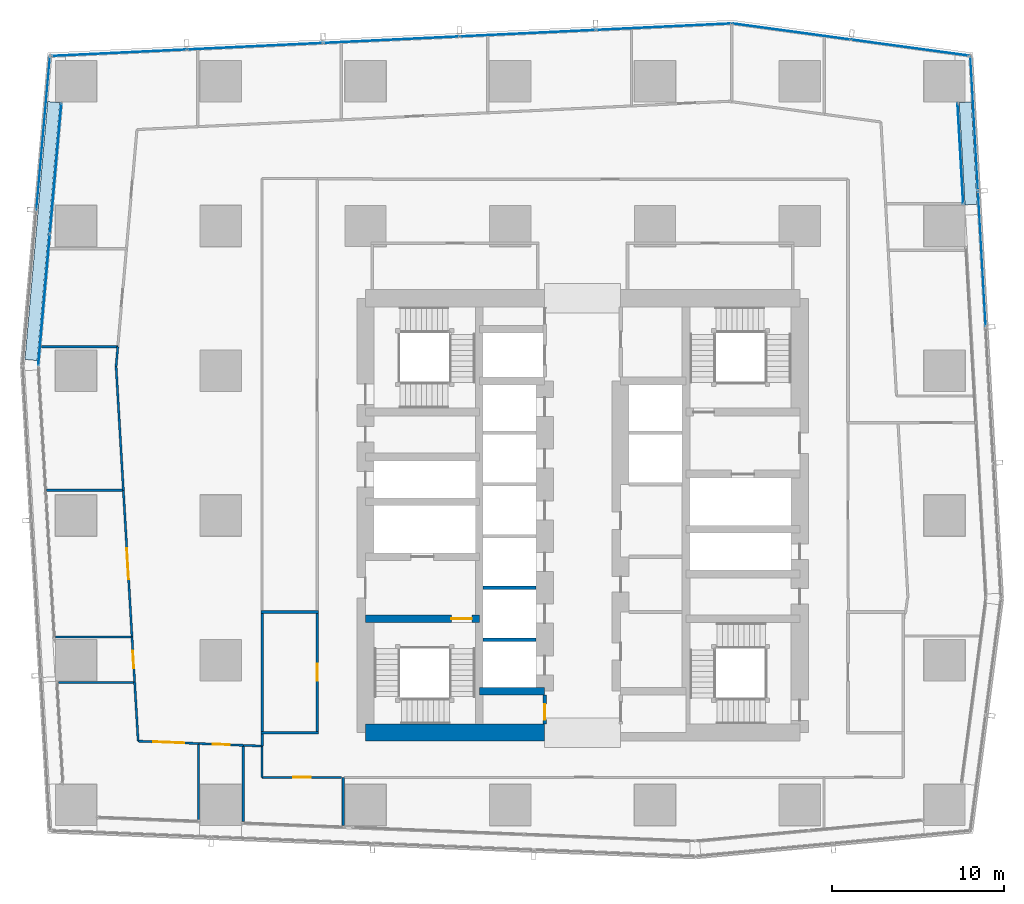
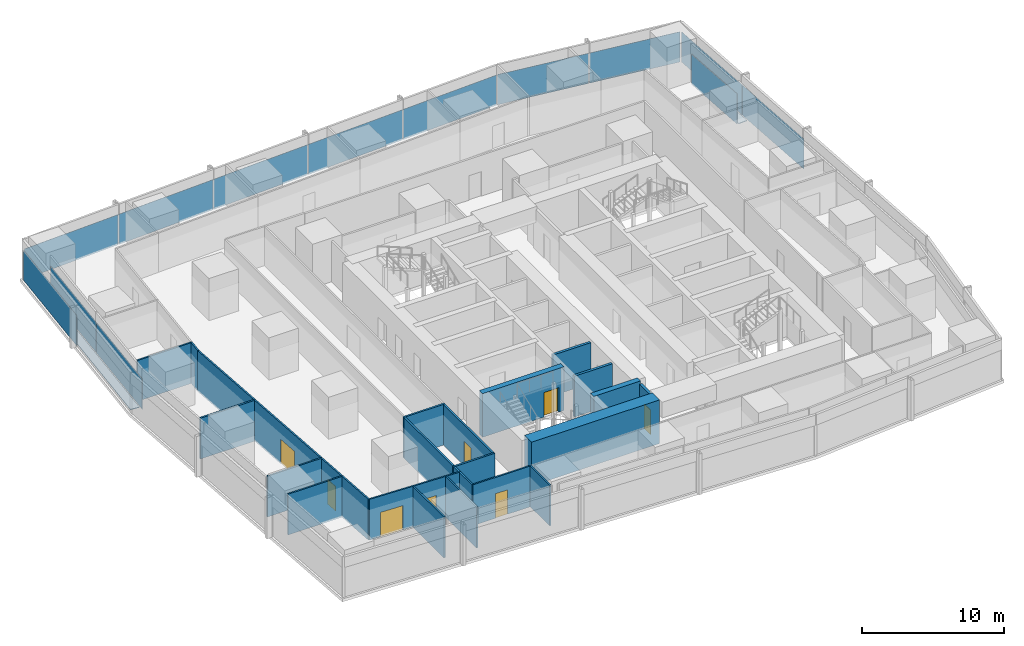
# One storey, part 24 of 37: 28 walls, 15 plates, 8 doors, 8 openings, 6 elements without a shape of their own.
"""IFC4 building model written with IfcOpenShell, lengths in metres."""

from ifc_helpers import new_model, si_unit, direction, frame, frame_2d, origin, origin_2d, place, context, subcontext, project, spatial, rectangle, extrude, material, layer, layer_set, type_object, element, fill, aggregate, save


model = new_model("IFC4")

# Units and contexts
model_context = context("Model", 3, precision=1e-05, world=origin(), true_north=direction((0.0, 1.0)))
body_context = subcontext(model_context, "Body", "Model", "MODEL_VIEW")
ifc_project = project(units=[si_unit("LENGTHUNIT", "METRE"), si_unit("AREAUNIT", "SQUARE_METRE"), si_unit("VOLUMEUNIT", "CUBIC_METRE"), si_unit("PLANEANGLEUNIT", "RADIAN"), si_unit("MASSUNIT", "GRAM", prefix="KILO")], contexts=[model_context])

# Site, building, storey
site_placement = place(None, origin())
site = spatial("IfcSite", under=ifc_project, at=site_placement, CompositionType="ELEMENT")
building_placement = place(site_placement, origin())
building = spatial("IfcBuilding", under=site, at=building_placement, Name="Rekha Terrace Tower", CompositionType="ELEMENT")
storey_placement = place(building_placement, frame((0.0, 0.0, 228.949951171875)))
storey = spatial("IfcBuildingStorey", under=building, at=storey_placement, Name="L58", CompositionType="ELEMENT", Elevation=228.949951171875)

# Curtain wall, plate
ifc_material_1 = material(Name="Aluminium framing", Category="aluminium")
curtain_wall_type_1 = type_object("IfcCurtainWallType", Name="CW1 double skin inner glazing", PredefinedType="USERDEFINED", material=ifc_material_1)
curtain_wall_1_placement = place(storey_placement, origin())
curtain_wall_1 = element("IfcCurtainWall", 1, at=curtain_wall_1_placement, inside=storey, type_object=curtain_wall_type_1, Name="CW1 double skin inner glazing", ObjectType="DOUBLE SKIN INNER GLAZING", PredefinedType="USERDEFINED")
ifc_material_2 = material(Name="Double-glazed low-e unit 32", Category="glass")
ifc_layer_1 = layer(ifc_material_2, 0.031982421875)
ifc_layer_set_1 = layer_set([ifc_layer_1], Name="Double-glazed low-e unit 32")
plate_type_1 = type_object("IfcPlateType", Name="CW1 jumbo vision panel, double-glazed low-e unit 32", PredefinedType="CURTAIN_PANEL", material=ifc_layer_set_1)
plate_1_placement = place(storey_placement, frame((59.720458984375, 54.60009765625, 0.0), z_axis=(0.0, 0.0, 1.0), x_axis=(-0.056673194877, 0.998392782918, 0.0)))
plate_1 = element("IfcPlate", 2, at=plate_1_placement, type_object=plate_type_1, Name="CW1 panel 1.1", PredefinedType="CURTAIN_PANEL", context=body_context, shape_type="SweptSolid", body=[
    extrude(rectangle(XDim=5.828857421875, YDim=0.031982421875, at=origin_2d()), origin(), (0.0, 0.0, 1.0), 2.60009765625),
])
aggregate(curtain_wall_1, [plate_1])

# Curtain wall, plates
curtain_wall_2_placement = place(storey_placement, origin())
curtain_wall_2 = element("IfcCurtainWall", 3, at=curtain_wall_2_placement, inside=storey, type_object=curtain_wall_type_1, Name="CW1 double skin inner glazing", ObjectType="DOUBLE SKIN INNER GLAZING", PredefinedType="USERDEFINED")
plate_2_placement = place(storey_placement, frame((7.2216796875, 53.7412109375, 0.0), z_axis=(0.0, 0.0, 1.0), x_axis=(-0.087957985471, -0.996124185427, 0.0)))
plate_2 = element("IfcPlate", 4, at=plate_2_placement, type_object=plate_type_1, Name="CW1 panel 1.1", PredefinedType="CURTAIN_PANEL", context=body_context, shape_type="SweptSolid", body=[
    extrude(rectangle(XDim=7.560791015625, YDim=0.031982421875, at=origin_2d()), origin(), (0.0, 0.0, 1.0), 2.60009765625),
])
plate_3_placement = place(storey_placement, frame((6.548095703125, 46.112548828125, 0.0), z_axis=(0.0, 0.0, 1.0), x_axis=(-0.087957985471, -0.996124185427, 0.0)))
plate_3 = element("IfcPlate", 5, at=plate_3_placement, type_object=plate_type_1, Name="CW1 panel 2.1", PredefinedType="CURTAIN_PANEL", context=body_context, shape_type="SweptSolid", body=[
    extrude(rectangle(XDim=7.625732421875, YDim=0.031982421875, at=origin_2d()), origin(), (0.0, 0.0, 1.0), 2.60009765625),
])
aggregate(curtain_wall_2, [plate_2, plate_3])

curtain_wall_type_2 = type_object("IfcCurtainWallType", Name="CW2 double skin outer glazing", PredefinedType="USERDEFINED", material=ifc_material_1)
curtain_wall_3_placement = place(storey_placement, origin())
curtain_wall_3 = element("IfcCurtainWall", 6, at=curtain_wall_3_placement, inside=storey, type_object=curtain_wall_type_2, Name="CW2 double skin outer glazing", ObjectType="DOUBLE SKIN OUTER GLAZING", PredefinedType="USERDEFINED")
ifc_material_3 = material(Name="Toughened single glazing 12", Category="glass")
ifc_layer_2 = layer(ifc_material_3, 0.011962890625)
ifc_layer_set_2 = layer_set([ifc_layer_2], Name="Toughened single glazing 12")
plate_type_2 = type_object("IfcPlateType", Name="CW2 jumbo vision panel, toughened single glazing 12", PredefinedType="CURTAIN_PANEL", material=ifc_layer_set_2)
plate_4_placement = place(storey_placement, frame((60.9697265625, 48.47314453125, 0.0), z_axis=(0.0, 0.0, 1.0), x_axis=(-0.05667319486, 0.998392782919, 0.0)))
plate_4 = element("IfcPlate", 7, at=plate_4_placement, type_object=plate_type_2, Name="CW2 panel 3.1", PredefinedType="CURTAIN_PANEL", context=body_context, shape_type="SweptSolid", body=[
    extrude(rectangle(XDim=7.823486328125, YDim=0.011962890625, at=origin_2d()), origin(), (0.0, 0.0, 1.0), 2.60009765625),
])
plate_5_placement = place(storey_placement, frame((60.522705078125, 56.343994140625, 0.0), z_axis=(0.0, 0.0, 1.0), x_axis=(-0.05667319486, 0.998392782919, 0.0)))
plate_5 = element("IfcPlate", 8, at=plate_5_placement, type_object=plate_type_2, Name="CW2 panel 4.1", PredefinedType="CURTAIN_PANEL", context=body_context, shape_type="SweptSolid", body=[
    extrude(rectangle(XDim=7.783447265625, YDim=0.011962890625, at=origin_2d()), origin(), (0.0, 0.0, 1.0), 2.60009765625),
])
aggregate(curtain_wall_3, [plate_4, plate_5])

# Curtain wall, plate
curtain_wall_4_placement = place(storey_placement, origin())
curtain_wall_4 = element("IfcCurtainWall", 9, at=curtain_wall_4_placement, inside=storey, type_object=curtain_wall_type_2, Name="CW2 double skin outer glazing", ObjectType="DOUBLE SKIN OUTER GLAZING", PredefinedType="USERDEFINED")
plate_6_placement = place(storey_placement, frame((6.498779296875, 55.78466796875, 0.0), z_axis=(0.0, 0.0, 1.0), x_axis=(-0.087957985453, -0.996124185428, 0.0)))
plate_6 = element("IfcPlate", 10, at=plate_6_placement, type_object=plate_type_2, Name="CW2 panel 1.1", PredefinedType="CURTAIN_PANEL", context=body_context, shape_type="SweptSolid", body=[
    extrude(rectangle(XDim=8.899658203125, YDim=0.011962890625, at=origin_2d()), origin(), (0.0, 0.0, 1.0), 2.60009765625),
])
aggregate(curtain_wall_4, [plate_6])

# Curtain wall, plates
curtain_wall_type_3 = type_object("IfcCurtainWallType", Name="CW3 north unitised glazing", PredefinedType="USERDEFINED", material=ifc_material_1)
curtain_wall_5_placement = place(storey_placement, origin())
curtain_wall_5 = element("IfcCurtainWall", 11, at=curtain_wall_5_placement, inside=storey, type_object=curtain_wall_type_3, Name="CW3 unitised curtain wall", ObjectType="UNITISED CURTAIN WALL", PredefinedType="USERDEFINED")
ifc_material_4 = material(Name="Double-glazed unit 28", Category="glass")
ifc_layer_3 = layer(ifc_material_4, 0.028076171875)
ifc_layer_set_3 = layer_set([ifc_layer_3], Name="Double-glazed unit 28")
plate_type_3 = type_object("IfcPlateType", Name="CW3 jumbo vision panel, double-glazed unit 28", PredefinedType="CURTAIN_PANEL", material=ifc_layer_set_3)
plate_7_placement = place(storey_placement, frame((56.797119140625, 60.745361328125, 0.0), z_axis=(0.0, 0.0, 1.0), x_axis=(-0.990867270504, 0.134840840416, 0.0)))
plate_7 = element("IfcPlate", 12, at=plate_7_placement, type_object=plate_type_3, Name="CW3 panel 1.1", PredefinedType="CURTAIN_PANEL", context=body_context, shape_type="SweptSolid", body=[
    extrude(rectangle(XDim=6.8486328125, YDim=0.028076171875, at=origin_2d()), origin(), (0.0, 0.0, 1.0), 2.60009765625),
])
plate_8_placement = place(storey_placement, frame((49.906982421875, 61.682861328125, 0.0), z_axis=(0.0, 0.0, 1.0), x_axis=(-0.990867270504, 0.134840840416, 0.0)))
plate_8 = element("IfcPlate", 13, at=plate_8_placement, type_object=plate_type_3, Name="CW3 panel 2.1", PredefinedType="CURTAIN_PANEL", context=body_context, shape_type="SweptSolid", body=[
    extrude(rectangle(XDim=6.918701171875, YDim=0.028076171875, at=origin_2d()), origin(), (0.0, 0.0, 1.0), 2.60009765625),
])
aggregate(curtain_wall_5, [plate_7, plate_8])

curtain_wall_6_placement = place(storey_placement, origin())
curtain_wall_6 = element("IfcCurtainWall", 14, at=curtain_wall_6_placement, inside=storey, type_object=curtain_wall_type_3, Name="CW3 unitised curtain wall", ObjectType="UNITISED CURTAIN WALL", PredefinedType="USERDEFINED")
plate_9_placement = place(storey_placement, frame((42.50732421875, 61.95947265625, 0.0), z_axis=(0.0, 0.0, 1.0), x_axis=(-0.998858906204, -0.047758616983, 0.0)))
plate_9 = element("IfcPlate", 15, at=plate_9_placement, type_object=plate_type_3, Name="CW3 panel 1.1", PredefinedType="CURTAIN_PANEL", context=body_context, shape_type="SweptSolid", body=[
    extrude(rectangle(XDim=7.81298828125, YDim=0.028076171875, at=origin_2d()), origin(), (0.0, 0.0, 1.0), 2.60009765625),
])
plate_10_placement = place(storey_placement, frame((34.61572265625, 61.58203125, 0.0), z_axis=(0.0, 0.0, 1.0), x_axis=(-0.998858906204, -0.047758616983, 0.0)))
plate_10 = element("IfcPlate", 16, at=plate_10_placement, type_object=plate_type_3, Name="CW3 panel 2.1", PredefinedType="CURTAIN_PANEL", context=body_context, shape_type="SweptSolid", body=[
    extrude(rectangle(XDim=7.84814453125, YDim=0.028076171875, at=origin_2d()), origin(), (0.0, 0.0, 1.0), 2.60009765625),
])
plate_11_placement = place(storey_placement, frame((26.70654296875, 61.203857421875, 0.0), z_axis=(0.0, 0.0, 1.0), x_axis=(-0.998858906204, -0.047758616983, 0.0)))
plate_11 = element("IfcPlate", 17, at=plate_11_placement, type_object=plate_type_3, Name="CW3 panel 3.1", PredefinedType="CURTAIN_PANEL", context=body_context, shape_type="SweptSolid", body=[
    extrude(rectangle(XDim=7.84814453125, YDim=0.028076171875, at=origin_2d()), origin(), (0.0, 0.0, 1.0), 2.60009765625),
])
plate_12_placement = place(storey_placement, frame((18.79736328125, 60.82568359375, 0.0), z_axis=(0.0, 0.0, 1.0), x_axis=(-0.998858906204, -0.047758616983, 0.0)))
plate_12 = element("IfcPlate", 18, at=plate_12_placement, type_object=plate_type_3, Name="CW3 panel 4.1", PredefinedType="CURTAIN_PANEL", context=body_context, shape_type="SweptSolid", body=[
    extrude(rectangle(XDim=7.84814453125, YDim=0.028076171875, at=origin_2d()), origin(), (0.0, 0.0, 1.0), 2.60009765625),
])
plate_13_placement = place(storey_placement, frame((10.906005859375, 60.448486328125, 0.0), z_axis=(0.0, 0.0, 1.0), x_axis=(-0.998858906204, -0.047758616983, 0.0)))
plate_13 = element("IfcPlate", 19, at=plate_13_placement, type_object=plate_type_3, Name="CW3 panel 5.1", PredefinedType="CURTAIN_PANEL", context=body_context, shape_type="SweptSolid", body=[
    extrude(rectangle(XDim=7.81298828125, YDim=0.028076171875, at=origin_2d()), origin(), (0.0, 0.0, 1.0), 2.60009765625),
])
aggregate(curtain_wall_6, [plate_9, plate_10, plate_11, plate_12, plate_13])

# Plates
ifc_material_5 = material(Name="Galvanised steel open grating", Category="steel")
ifc_layer_4 = layer(ifc_material_5, 0.050048828125)
ifc_layer_set_4 = layer_set([ifc_layer_4], Name="Galvanised steel open grating")
plate_type_4 = type_object("IfcPlateType", Name="GT1 cavity walkway grating 50", PredefinedType="USERDEFINED", material=ifc_layer_set_4)
plate_14_placement = place(storey_placement, frame((60.17041015625, 54.610595703125, 0.0), z_axis=(0.0, 0.0, 1.0), x_axis=(-0.05667319486, 0.998392782919, 0.0)))
element("IfcPlate", 20, at=plate_14_placement, inside=storey, type_object=plate_type_4, Name="Cavity walkway grating", ObjectType="CAVITY WALKWAY GRATING", PredefinedType="USERDEFINED", context=body_context, shape_type="SweptSolid", body=[
    extrude(rectangle(XDim=5.948486328125, YDim=0.705078125, at=origin_2d()), origin(), (0.0, 0.0, 1.0), 0.050048828125),
])
plate_15_placement = place(storey_placement, frame((6.44873046875, 50.10400390625, 0.0), z_axis=(0.0, 0.0, 1.0), x_axis=(-0.087957985471, -0.996124185427, 0.0)))
element("IfcPlate", 21, at=plate_15_placement, inside=storey, type_object=plate_type_4, Name="Cavity walkway grating", ObjectType="CAVITY WALKWAY GRATING", PredefinedType="USERDEFINED", context=body_context, shape_type="SweptSolid", body=[
    extrude(rectangle(XDim=15.0263671875, YDim=0.705078125, at=origin_2d()), origin(), (0.0, 0.0, 1.0), 0.050048828125),
])

# Wall
ifc_material_6 = material(Name="Concrete M60", Category="concrete")
ifc_layer_5 = layer(ifc_material_6, 0.449951171875)
ifc_layer_set_5 = layer_set([ifc_layer_5], Name="Concrete M60")
wall_type_1 = type_object("IfcWallType", Name="CI3 450 core internal shear wall", PredefinedType="SHEAR", material=ifc_layer_set_5)
wall_1_placement = place(storey_placement, frame((31.800048828125, 23.39990234375, 0.0), z_axis=(0.0, 0.0, 1.0), x_axis=(1.0, 0.0, 0.0)))
element("IfcWall", 22, at=wall_1_placement, inside=storey, type_object=wall_type_1, Name="Core wall Y234W L58", PredefinedType="SHEAR", context=body_context, shape_type="SweptSolid", body=[
    extrude(rectangle(XDim=3.800048828125, YDim=0.449951171875, at=frame_2d((1.89990234375, 0.0))), origin(), (0.0, 0.0, 1.0), 3.75),
])

# Wall, opening, door
wall_2_placement = place(storey_placement, frame((25.199951171875, 27.60009765625, 0.0), z_axis=(0.0, 0.0, 1.0), x_axis=(1.0, 0.0, 0.0)))
wall_2 = element("IfcWall", 23, at=wall_2_placement, inside=storey, type_object=wall_type_1, Name="Core wall Y276W L58", PredefinedType="SHEAR", context=body_context, shape_type="SweptSolid", body=[
    extrude(rectangle(XDim=6.60009765625, YDim=0.449951171875, at=frame_2d((3.300048828125, 0.0))), origin(), (0.0, 0.0, 1.0), 3.75),
])
opening_1_placement = place(wall_2_placement, frame((4.97509765625, 0.0, 0.0)))
opening_1 = element("IfcOpeningElement", 24, at=opening_1_placement, cuts=wall_2, Name="Opening D1", PredefinedType="OPENING", context=body_context, shape_type="SweptSolid", body=[
    extrude(rectangle(XDim=1.199951171875, YDim=2.10009765625, at=frame_2d((0.60009765625, 1.050048828125))), frame((0.0, 0.23486328125, 0.0), z_axis=(0.0, -1.0, 0.0), x_axis=(1.0, 0.0, 0.0)), (0.0, 0.0, 1.0), 0.469970703125),
])
ifc_material_7 = material(Name="Steel fire door", Category="steel")
door_type_1 = type_object("IfcDoorType", Name="D1 1200x2100 stair fire door", OperationType="SINGLE_SWING_RIGHT", PredefinedType="DOOR", material=ifc_material_7)
door_1_placement = place(opening_1_placement, origin())
door_1 = element("IfcDoor", 25, at=door_1_placement, inside=storey, type_object=door_type_1, Name="Stair ST1 door L58", OperationType="SINGLE_SWING_RIGHT", OverallHeight=2.10009765625, OverallWidth=1.199951171875, PredefinedType="DOOR", context=body_context, shape_type="SweptSolid", body=[
    extrude(rectangle(XDim=1.199951171875, YDim=2.10009765625, at=frame_2d((0.60009765625, 1.050048828125))), frame((0.0, 0.02490234375, 0.0), z_axis=(0.0, -1.0, 0.0), x_axis=(1.0, 0.0, 0.0)), (0.0, 0.0, 1.0), 0.050048828125),
])
fill(opening_1, door_1)

# Walls
ifc_layer_6 = layer(ifc_material_6, 1.0)
ifc_layer_set_6 = layer_set([ifc_layer_6], Name="Concrete M60")
wall_type_2 = type_object("IfcWallType", Name="SW3 1000 core outer shear wall", PredefinedType="SHEAR", material=ifc_layer_set_6)
wall_3_placement = place(storey_placement, frame((25.199951171875, 21.0, 0.0), z_axis=(0.0, 0.0, 1.0), x_axis=(1.0, 0.0, 0.0)))
element("IfcWall", 26, at=wall_3_placement, inside=storey, type_object=wall_type_2, Name="Core wall S1 L58", PredefinedType="SHEAR", context=body_context, shape_type="SweptSolid", body=[
    extrude(rectangle(XDim=10.400146484375, YDim=1.0, at=frame_2d((5.2001953125, 0.0))), origin(), (0.0, 0.0, 1.0), 3.75),
])
ifc_material_8 = material(Name="Concrete block masonry, 1 hour", Category="masonry")
ifc_layer_7 = layer(ifc_material_8, 0.14990234375)
ifc_layer_set_7 = layer_set([ifc_layer_7], Name="Concrete block masonry, 1 hour")
wall_type_3 = type_object("IfcWallType", Name="WP2 150 tenancy partition", PredefinedType="PARTITIONING", material=ifc_layer_set_7)
for number, where, z_axis, x_axis, name in (
    (27, (19.125, 21.0, 0.0), (0.0, 0.0, 1.0), (1.0, 0.0, 0.0), "Men's WC wall L58"),
    (28, (19.125, 28.0, 0.0), (0.0, 0.0, 1.0), (1.0, 0.0, 0.0), "Men's WC wall L58"),
):
    element("IfcWall", number, at=place(storey_placement, frame(where, z_axis=z_axis, x_axis=x_axis)), inside=storey, type_object=wall_type_3, Name=name, PredefinedType="PARTITIONING", context=body_context, shape_type="SweptSolid", body=[
        extrude(rectangle(XDim=3.35009765625, YDim=0.14990234375, at=frame_2d((1.675048828125, 0.0))), origin(), (0.0, 0.0, 1.0), 3.5),
    ])
wall_4_placement = place(storey_placement, frame((19.199951171875, 21.074951171875, 0.0), z_axis=(0.0, 0.0, 1.0), x_axis=(0.0, 1.0, 0.0)))
element("IfcWall", 29, at=wall_4_placement, inside=storey, type_object=wall_type_3, Name="Men's WC wall L58", PredefinedType="PARTITIONING", context=body_context, shape_type="SweptSolid", body=[
    extrude(rectangle(XDim=6.85009765625, YDim=0.14990234375, at=frame_2d((3.425048828125, 0.0))), origin(), (0.0, 0.0, 1.0), 3.5),
])

# Wall, opening, door
wall_5_placement = place(storey_placement, frame((22.39990234375, 21.074951171875, 0.0), z_axis=(0.0, 0.0, 1.0), x_axis=(0.0, 1.0, 0.0)))
wall_5 = element("IfcWall", 30, at=wall_5_placement, inside=storey, type_object=wall_type_3, Name="Men's WC wall L58", PredefinedType="PARTITIONING", context=body_context, shape_type="SweptSolid", body=[
    extrude(rectangle(XDim=6.85009765625, YDim=0.14990234375, at=frame_2d((3.425048828125, 0.0))), origin(), (0.0, 0.0, 1.0), 3.5),
])
opening_2_placement = place(wall_5_placement, frame((2.925048828125, 0.0, 0.0)))
opening_2 = element("IfcOpeningElement", 31, at=opening_2_placement, cuts=wall_5, Name="Opening D3", PredefinedType="OPENING", context=body_context, shape_type="SweptSolid", body=[
    extrude(rectangle(XDim=1.0, YDim=2.10009765625, at=frame_2d((0.5, 1.050048828125))), frame((0.0, 0.0849609375, 0.0), z_axis=(0.0, -1.0, 0.0), x_axis=(1.0, 0.0, 0.0)), (0.0, 0.0, 1.0), 0.169921875),
])
ifc_material_9 = material(Name="Laminated timber fire door", Category="wood")
door_type_2 = type_object("IfcDoorType", Name="D3 1000x2100 WC door", OperationType="SINGLE_SWING_LEFT", PredefinedType="DOOR", material=ifc_material_9)
door_2_placement = place(opening_2_placement, origin())
door_2 = element("IfcDoor", 32, at=door_2_placement, inside=storey, type_object=door_type_2, Name="Door men's wc L58", OperationType="SINGLE_SWING_LEFT", OverallHeight=2.10009765625, OverallWidth=1.0, PredefinedType="DOOR", context=body_context, shape_type="SweptSolid", body=[
    extrude(rectangle(XDim=1.0, YDim=2.10009765625, at=frame_2d((0.5, 1.050048828125))), frame((0.0, 0.02490234375, 0.0), z_axis=(0.0, -1.0, 0.0), x_axis=(1.0, 0.0, 0.0)), (0.0, 0.0, 1.0), 0.050048828125),
])
fill(opening_2, door_2)

# Walls
wall_6_placement = place(storey_placement, frame((11.0849609375, 35.05908203125, 0.0), z_axis=(0.0, 0.0, 1.0), x_axis=(-1.0, 0.0, 0.0)))
element("IfcWall", 33, at=wall_6_placement, inside=storey, type_object=wall_type_3, Name="Partition L58-O1", PredefinedType="PARTITIONING", context=body_context, shape_type="SweptSolid", body=[
    extrude(rectangle(XDim=4.39501953125, YDim=0.14990234375, at=frame_2d((2.197509765625, 0.0))), origin(), (0.0, 0.0, 1.0), 3.5),
])
wall_7_placement = place(storey_placement, frame((19.199951171875, 20.925048828125, 0.0), z_axis=(0.0, 0.0, 1.0), x_axis=(0.0, -1.0, 0.0)))
element("IfcWall", 34, at=wall_7_placement, inside=storey, type_object=wall_type_3, Name="Partition L58-O1", PredefinedType="PARTITIONING", context=body_context, shape_type="SweptSolid", body=[
    extrude(rectangle(XDim=0.70703125, YDim=0.14990234375, at=frame_2d((0.353515625, 0.0))), origin(), (0.0, 0.0, 1.0), 3.5),
])
ifc_material_10 = material(Name="Two layers of fire-rated gypsum board each side on steel studs, acoustic quilt, 1 hour", Category="steel")
ifc_layer_8 = layer(ifc_material_10, 0.125)
ifc_layer_set_8 = layer_set([ifc_layer_8], Name="Two layers of fire-rated gypsum board each side on steel studs, acoustic quilt, 1 hour")
wall_type_4 = type_object("IfcWallType", Name="WP3 125 office partition", PredefinedType="PARTITIONING", material=ifc_layer_set_8)
wall_8_placement = place(storey_placement, frame((23.906982421875, 15.60595703125, 0.0), z_axis=(0.0, 0.0, 1.0), x_axis=(0.0, 1.0, 0.0)))
element("IfcWall", 35, at=wall_8_placement, inside=storey, type_object=wall_type_4, Name="Partition L58-02", PredefinedType="PARTITIONING", context=body_context, shape_type="SweptSolid", body=[
    extrude(rectangle(XDim=2.7939453125, YDim=0.125, at=frame_2d((1.39697265625, 0.0))), origin(), (0.0, 0.0, 1.0), 3.5),
])
wall_9_placement = place(storey_placement, frame((10.825927734375, 43.39208984375, 0.0), z_axis=(0.0, 0.0, 1.0), x_axis=(-1.0, 0.0, 0.0)))
element("IfcWall", 36, at=wall_9_placement, inside=storey, type_object=wall_type_4, Name="Partition L58-09", PredefinedType="PARTITIONING", context=body_context, shape_type="SweptSolid", body=[
    extrude(rectangle(XDim=4.43798828125, YDim=0.125, at=frame_2d((2.218994140625, 0.0))), origin(), (0.0, 0.0, 1.0), 3.5),
])
wall_10_placement = place(storey_placement, frame((10.825927734375, 43.39111328125, 0.0), z_axis=(0.0, 0.0, 1.0), x_axis=(-0.087943526258, -0.996125462073, 0.0)))
element("IfcWall", 37, at=wall_10_placement, inside=storey, type_object=wall_type_4, Name="Partition L58-10", PredefinedType="PARTITIONING", context=body_context, shape_type="SweptSolid", body=[
    extrude(rectangle(XDim=1.146484375, YDim=0.125, at=frame_2d((0.5732421875, 0.0))), origin(), (0.0, 0.0, 1.0), 3.5),
])
wall_11_placement = place(storey_placement, frame((10.72509765625, 42.2490234375, 0.0), z_axis=(0.0, 0.0, 1.0), x_axis=(0.058718047248, -0.998274606973, 0.0)))
element("IfcWall", 38, at=wall_11_placement, inside=storey, type_object=wall_type_4, Name="Partition L58-10", PredefinedType="PARTITIONING", context=body_context, shape_type="SweptSolid", body=[
    extrude(rectangle(XDim=7.201416015625, YDim=0.125, at=frame_2d((3.6005859375, 0.0))), origin(), (0.0, 0.0, 1.0), 3.5),
])

# Wall, opening, door
wall_12_placement = place(storey_placement, frame((11.14794921875, 35.06005859375, 0.0), z_axis=(0.0, 0.0, 1.0), x_axis=(0.058747195918, -0.998272892035, 0.0)))
wall_12 = element("IfcWall", 39, at=wall_12_placement, inside=storey, type_object=wall_type_4, Name="Partition L58-10", PredefinedType="PARTITIONING", context=body_context, shape_type="SweptSolid", body=[
    extrude(rectangle(XDim=8.527587890625, YDim=0.125, at=frame_2d((4.263671875, 0.0))), origin(), (0.0, 0.0, 1.0), 3.5),
])
opening_3_placement = place(wall_12_placement, frame((3.364013671875, 0.0, 0.0)))
opening_3 = element("IfcOpeningElement", 40, at=opening_3_placement, cuts=wall_12, Name="Opening D8", PredefinedType="OPENING", context=body_context, shape_type="SweptSolid", body=[
    extrude(rectangle(XDim=1.800048828125, YDim=2.10009765625, at=frame_2d((0.89990234375, 1.050048828125))), frame((0.0, 0.072509765625, 0.0), z_axis=(0.0, -1.0, 0.0), x_axis=(1.0, 0.0, 0.0)), (0.0, 0.0, 1.0), 0.14501953125),
])
ifc_material_11 = material(Name="Timber fire door", Category="wood")
door_type_3 = type_object("IfcDoorType", Name="D8 1800x2100 double leaf door", OperationType="DOUBLE_DOOR_SINGLE_SWING", PredefinedType="DOOR", material=ifc_material_11)
door_3_placement = place(opening_3_placement, origin())
door_3 = element("IfcDoor", 41, at=door_3_placement, inside=storey, type_object=door_type_3, Name="Door meeting room L58", OperationType="DOUBLE_DOOR_SINGLE_SWING", OverallHeight=2.10009765625, OverallWidth=1.800048828125, PredefinedType="DOOR", context=body_context, shape_type="SweptSolid", body=[
    extrude(rectangle(XDim=1.800048828125, YDim=2.10009765625, at=frame_2d((0.89990234375, 1.050048828125))), frame((0.0, 0.02490234375, 0.0), z_axis=(0.0, -1.0, 0.0), x_axis=(1.0, 0.0, 0.0)), (0.0, 0.0, 1.0), 0.050048828125),
])
fill(opening_3, door_3)

# Wall
wall_13_placement = place(storey_placement, frame((11.64892578125, 26.547119140625, 0.0), z_axis=(0.0, 0.0, 1.0), x_axis=(-1.0, 0.0, 0.0)))
element("IfcWall", 42, at=wall_13_placement, inside=storey, type_object=wall_type_4, Name="Partition L58-10", PredefinedType="PARTITIONING", context=body_context, shape_type="SweptSolid", body=[
    extrude(rectangle(XDim=4.427978515625, YDim=0.125, at=frame_2d((2.2138671875, 0.0))), origin(), (0.0, 0.0, 1.0), 3.5),
])

# Wall, opening, door
wall_14_placement = place(storey_placement, frame((11.64892578125, 26.5458984375, 0.0), z_axis=(0.0, 0.0, 1.0), x_axis=(0.058711043696, -0.998275018894, 0.0)))
wall_14 = element("IfcWall", 43, at=wall_14_placement, inside=storey, type_object=wall_type_4, Name="Partition L58-11", PredefinedType="PARTITIONING", context=body_context, shape_type="SweptSolid", body=[
    extrude(rectangle(XDim=2.607177734375, YDim=0.125, at=frame_2d((1.3037109375, 0.0))), origin(), (0.0, 0.0, 1.0), 3.5),
])
opening_4_placement = place(wall_14_placement, frame((0.803955078125, 0.0, 0.0)))
opening_4 = element("IfcOpeningElement", 44, at=opening_4_placement, cuts=wall_14, Name="Opening D9", PredefinedType="OPENING", context=body_context, shape_type="SweptSolid", body=[
    extrude(rectangle(XDim=1.0, YDim=2.10009765625, at=frame_2d((0.5, 1.050048828125))), frame((0.0, 0.072509765625, 0.0), z_axis=(0.0, -1.0, 0.0), x_axis=(1.0, 0.0, 0.0)), (0.0, 0.0, 1.0), 0.14501953125),
])
door_type_4 = type_object("IfcDoorType", Name="D9 1000x2100 office door", OperationType="SINGLE_SWING_LEFT", PredefinedType="DOOR", material=ifc_material_11)
door_4_placement = place(opening_4_placement, origin())
door_4 = element("IfcDoor", 45, at=door_4_placement, inside=storey, type_object=door_type_4, Name="Door office L58", OperationType="SINGLE_SWING_LEFT", OverallHeight=2.10009765625, OverallWidth=1.0, PredefinedType="DOOR", context=body_context, shape_type="SweptSolid", body=[
    extrude(rectangle(XDim=1.0, YDim=2.10009765625, at=frame_2d((0.5, 1.050048828125))), frame((0.0, 0.02490234375, 0.0), z_axis=(0.0, -1.0, 0.0), x_axis=(1.0, 0.0, 0.0)), (0.0, 0.0, 1.0), 0.050048828125),
])
fill(opening_4, door_4)

# Walls
wall_15_placement = place(storey_placement, frame((11.740966796875, 23.906982421875, 0.0), z_axis=(0.0, 0.0, 1.0), x_axis=(-1.0, 0.0, 0.0)))
element("IfcWall", 46, at=wall_15_placement, inside=storey, type_object=wall_type_4, Name="Partition L58-11", PredefinedType="PARTITIONING", context=body_context, shape_type="SweptSolid", body=[
    extrude(rectangle(XDim=4.364013671875, YDim=0.125, at=frame_2d((2.18212890625, 0.0))), origin(), (0.0, 0.0, 1.0), 3.5),
])
wall_16_placement = place(storey_placement, frame((15.508056640625, 20.302978515625, 0.0), z_axis=(0.0, 0.0, 1.0), x_axis=(0.0, -1.0, 0.0)))
element("IfcWall", 47, at=wall_16_placement, inside=storey, type_object=wall_type_4, Name="Partition L58-12", PredefinedType="PARTITIONING", context=body_context, shape_type="SweptSolid", body=[
    extrude(rectangle(XDim=4.361083984375, YDim=0.125, at=frame_2d((2.1806640625, 0.0))), origin(), (0.0, 0.0, 1.0), 3.5),
])
wall_17_placement = place(storey_placement, frame((11.802001953125, 23.94189453125, 0.0), z_axis=(0.0, 0.0, 1.0), x_axis=(0.058925701835, -0.998262371155, 0.0)))
element("IfcWall", 48, at=wall_17_placement, inside=storey, type_object=wall_type_4, Name="Partition L58-12", PredefinedType="PARTITIONING", context=body_context, shape_type="SweptSolid", body=[
    extrude(rectangle(XDim=3.443115234375, YDim=0.125, at=frame_2d((1.7216796875, 0.0))), origin(), (0.0, 0.0, 1.0), 3.5),
])

# Wall, opening, door
wall_18_placement = place(storey_placement, frame((12.0048828125, 20.5048828125, 0.0), z_axis=(0.0, 0.0, 1.0), x_axis=(0.999208321211, -0.039783549637, 0.0)))
wall_18 = element("IfcWall", 49, at=wall_18_placement, inside=storey, type_object=wall_type_4, Name="Partition L58-12", PredefinedType="PARTITIONING", context=body_context, shape_type="SweptSolid", body=[
    extrude(rectangle(XDim=3.540771484375, YDim=0.125, at=frame_2d((1.7705078125, 0.0))), origin(), (0.0, 0.0, 1.0), 3.5),
])
opening_5_placement = place(wall_18_placement, frame((0.8701171875, 0.0, 0.0)))
opening_5 = element("IfcOpeningElement", 50, at=opening_5_placement, cuts=wall_18, Name="Opening D8", PredefinedType="OPENING", context=body_context, shape_type="SweptSolid", body=[
    extrude(rectangle(XDim=1.800048828125, YDim=2.10009765625, at=frame_2d((0.89990234375, 1.050048828125))), frame((0.0, 0.072509765625, 0.0), z_axis=(0.0, -1.0, 0.0), x_axis=(1.0, 0.0, 0.0)), (0.0, 0.0, 1.0), 0.14501953125),
])
door_5_placement = place(opening_5_placement, origin())
door_5 = element("IfcDoor", 51, at=door_5_placement, inside=storey, type_object=door_type_3, Name="Door board meeting room L58", OperationType="DOUBLE_DOOR_SINGLE_SWING", OverallHeight=2.10009765625, OverallWidth=1.800048828125, PredefinedType="DOOR", context=body_context, shape_type="SweptSolid", body=[
    extrude(rectangle(XDim=1.800048828125, YDim=2.10009765625, at=frame_2d((0.89990234375, 1.050048828125))), frame((0.0, 0.02490234375, 0.0), z_axis=(0.0, -1.0, 0.0), x_axis=(1.0, 0.0, 0.0)), (0.0, 0.0, 1.0), 0.050048828125),
])
fill(opening_5, door_5)

wall_19_placement = place(storey_placement, frame((15.5439453125, 20.364013671875, 0.0), z_axis=(0.0, 0.0, 1.0), x_axis=(0.999194259908, -0.040135158736, 0.0)))
wall_19 = element("IfcWall", 52, at=wall_19_placement, inside=storey, type_object=wall_type_4, Name="Partition L58-13", PredefinedType="PARTITIONING", context=body_context, shape_type="SweptSolid", body=[
    extrude(rectangle(XDim=2.56689453125, YDim=0.125, at=frame_2d((1.283447265625, 0.0))), origin(), (0.0, 0.0, 1.0), 3.5),
])
opening_6_placement = place(wall_19_placement, frame((0.783935546875, 0.0, 0.0)))
opening_6 = element("IfcOpeningElement", 53, at=opening_6_placement, cuts=wall_19, Name="Opening D9", PredefinedType="OPENING", context=body_context, shape_type="SweptSolid", body=[
    extrude(rectangle(XDim=1.0, YDim=2.10009765625, at=frame_2d((0.5, 1.050048828125))), frame((0.0, 0.072509765625, 0.0), z_axis=(0.0, -1.0, 0.0), x_axis=(1.0, 0.0, 0.0)), (0.0, 0.0, 1.0), 0.14501953125),
])
door_6_placement = place(opening_6_placement, origin())
door_6 = element("IfcDoor", 54, at=door_6_placement, inside=storey, type_object=door_type_4, Name="Door meeting room L58", OperationType="SINGLE_SWING_LEFT", OverallHeight=2.10009765625, OverallWidth=1.0, PredefinedType="DOOR", context=body_context, shape_type="SweptSolid", body=[
    extrude(rectangle(XDim=1.0, YDim=2.10009765625, at=frame_2d((0.5, 1.050048828125))), frame((0.0, 0.02490234375, 0.0), z_axis=(0.0, -1.0, 0.0), x_axis=(1.0, 0.0, 0.0)), (0.0, 0.0, 1.0), 0.050048828125),
])
fill(opening_6, door_6)

# Wall
wall_20_placement = place(storey_placement, frame((18.10888671875, 20.260986328125, 0.0), z_axis=(0.0, 0.0, 1.0), x_axis=(0.0, -1.0, 0.0)))
element("IfcWall", 55, at=wall_20_placement, inside=storey, type_object=wall_type_4, Name="Partition L58-13", PredefinedType="PARTITIONING", context=body_context, shape_type="SweptSolid", body=[
    extrude(rectangle(XDim=4.423095703125, YDim=0.125, at=frame_2d((2.21142578125, 0.0))), origin(), (0.0, 0.0, 1.0), 3.5),
])

# Wall, opening, door
wall_21_placement = place(storey_placement, frame((19.199951171875, 18.39990234375, 0.0), z_axis=(0.0, 0.0, 1.0), x_axis=(1.0, 0.0, 0.0)))
wall_21 = element("IfcWall", 56, at=wall_21_placement, inside=storey, type_object=wall_type_4, Name="Partition L58-14", PredefinedType="PARTITIONING", context=body_context, shape_type="SweptSolid", body=[
    extrude(rectangle(XDim=4.616943359375, YDim=0.125, at=frame_2d((2.30859375, 0.0))), origin(), (0.0, 0.0, 1.0), 3.5),
])
opening_7_placement = place(wall_21_placement, frame((1.80810546875, 0.0, 0.0)))
opening_7 = element("IfcOpeningElement", 57, at=opening_7_placement, cuts=wall_21, Name="Opening D9", PredefinedType="OPENING", context=body_context, shape_type="SweptSolid", body=[
    extrude(rectangle(XDim=1.0, YDim=2.10009765625, at=frame_2d((0.5, 1.050048828125))), frame((0.0, 0.072509765625, 0.0), z_axis=(0.0, -1.0, 0.0), x_axis=(1.0, 0.0, 0.0)), (0.0, 0.0, 1.0), 0.14501953125),
])
door_7_placement = place(opening_7_placement, origin())
door_7 = element("IfcDoor", 58, at=door_7_placement, inside=storey, type_object=door_type_4, Name="Door meeting room L58", OperationType="SINGLE_SWING_LEFT", OverallHeight=2.10009765625, OverallWidth=1.0, PredefinedType="DOOR", context=body_context, shape_type="SweptSolid", body=[
    extrude(rectangle(XDim=1.0, YDim=2.10009765625, at=frame_2d((0.5, 1.050048828125))), frame((0.0, 0.02490234375, 0.0), z_axis=(0.0, -1.0, 0.0), x_axis=(1.0, 0.0, 0.0)), (0.0, 0.0, 1.0), 0.050048828125),
])
fill(opening_7, door_7)

# Walls
wall_22_placement = place(storey_placement, frame((18.110107421875, 20.260986328125, 0.0), z_axis=(0.0, 0.0, 1.0), x_axis=(0.999223679577, -0.039395915682, 0.0)))
element("IfcWall", 59, at=wall_22_placement, inside=storey, type_object=wall_type_4, Name="Partition L58-14", PredefinedType="PARTITIONING", context=body_context, shape_type="SweptSolid", body=[
    extrude(rectangle(XDim=1.090576171875, YDim=0.125, at=frame_2d((0.54541015625, 0.0))), origin(), (0.0, 0.0, 1.0), 3.5),
])
wall_23_placement = place(storey_placement, frame((19.199951171875, 20.218017578125, 0.0), z_axis=(0.0, 0.0, 1.0), x_axis=(0.0, -1.0, 0.0)))
element("IfcWall", 60, at=wall_23_placement, inside=storey, type_object=wall_type_4, Name="Partition L58-14", PredefinedType="PARTITIONING", context=body_context, shape_type="SweptSolid", body=[
    extrude(rectangle(XDim=1.818115234375, YDim=0.125, at=frame_2d((0.9091796875, 0.0))), origin(), (0.0, 0.0, 1.0), 3.5),
])
ifc_material_12 = material(Name="Solid concrete block masonry, 2 hour", Category="masonry")
ifc_layer_9 = layer(ifc_material_12, 0.199951171875)
ifc_layer_set_9 = layer_set([ifc_layer_9], Name="Solid concrete block masonry, 2 hour")
wall_type_5 = type_object("IfcWallType", Name="WS1 200 stair and shaft enclosure", PredefinedType="PARTITIONING", material=ifc_layer_set_9)
for number, where, z_axis, x_axis, name in (
    (61, (32.02490234375, 26.39990234375, 0.0), (0.0, 0.0, 1.0), (1.0, 0.0, 0.0), "Lift shaft divider L58"),
    (62, (32.02490234375, 29.39990234375, 0.0), (0.0, 0.0, 1.0), (1.0, 0.0, 0.0), "Lift shaft divider L58"),
):
    element("IfcWall", number, at=place(storey_placement, frame(where, z_axis=z_axis, x_axis=x_axis)), inside=storey, type_object=wall_type_5, Name=name, PredefinedType="PARTITIONING", context=body_context, shape_type="SweptSolid", body=[
        extrude(rectangle(XDim=3.0751953125, YDim=0.199951171875, at=frame_2d((1.53759765625, 0.0))), origin(), (0.0, 0.0, 1.0), 3.5),
    ])

# Wall, opening, door
wall_24_placement = place(storey_placement, frame((35.60009765625, 21.5, 0.0), z_axis=(0.0, 0.0, 1.0), x_axis=(0.0, 1.0, 0.0)))
wall_24 = element("IfcWall", 63, at=wall_24_placement, inside=storey, type_object=wall_type_5, Name="Core partition west L58", PredefinedType="PARTITIONING", context=body_context, shape_type="SweptSolid", body=[
    extrude(rectangle(XDim=1.675048828125, YDim=0.199951171875, at=frame_2d((0.83740234375, 0.0))), origin(), (0.0, 0.0, 1.0), 3.5),
])
opening_8_placement = place(wall_24_placement, frame((0.25, 0.0, 0.0)))
opening_8 = element("IfcOpeningElement", 64, at=opening_8_placement, cuts=wall_24, Name="Opening D5", PredefinedType="OPENING", context=body_context, shape_type="SweptSolid", body=[
    extrude(rectangle(XDim=0.89990234375, YDim=2.10009765625, at=frame_2d((0.449951171875, 1.050048828125))), frame((0.0, 0.10986328125, 0.0), z_axis=(0.0, -1.0, 0.0), x_axis=(1.0, 0.0, 0.0)), (0.0, 0.0, 1.0), 0.219970703125),
])
door_type_5 = type_object("IfcDoorType", Name="D5 900x2100 riser access door", OperationType="SINGLE_SWING_LEFT", PredefinedType="DOOR", material=ifc_material_7)
door_8_placement = place(opening_8_placement, origin())
door_8 = element("IfcDoor", 65, at=door_8_placement, inside=storey, type_object=door_type_5, Name="Door it comms room L58", OperationType="SINGLE_SWING_LEFT", OverallHeight=2.10009765625, OverallWidth=0.89990234375, PredefinedType="DOOR", context=body_context, shape_type="SweptSolid", body=[
    extrude(rectangle(XDim=0.89990234375, YDim=2.10009765625, at=frame_2d((0.449951171875, 1.050048828125))), frame((0.0, 0.02490234375, 0.0), z_axis=(0.0, -1.0, 0.0), x_axis=(1.0, 0.0, 0.0)), (0.0, 0.0, 1.0), 0.050048828125),
])
fill(opening_8, door_8)

save(model, "model.ifc")
